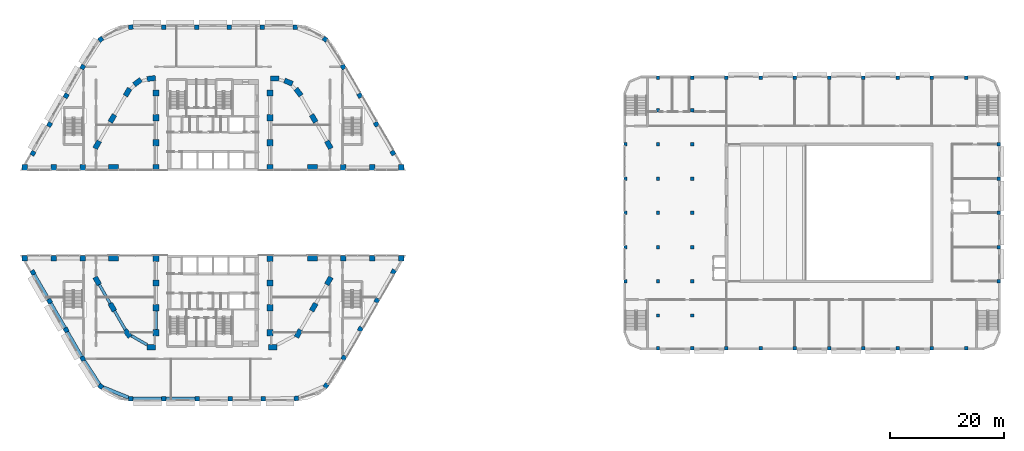
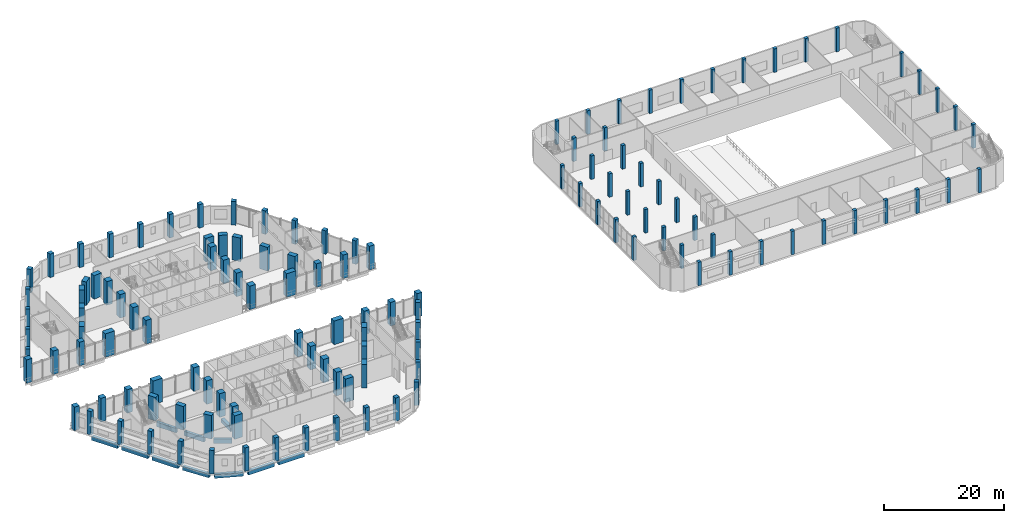
# One storey, part 1 of 45: 126 columns, 11 beams.
"""IFC4 building model written with IfcOpenShell, lengths in metres."""

from ifc_helpers import new_model, si_unit, direction, frame, origin, origin_2d, place, context, subcontext, project, spatial, rectangle, extrude, material, material_profile, profile_set, type_object, element, save


model = new_model("IFC4")

# Units and contexts
model_context = context("Model", 3, precision=1e-05, world=origin(), true_north=direction((0.0, 1.0)))
body_context = subcontext(model_context, "Body", "Model", "MODEL_VIEW")
ifc_project = project(units=[si_unit("LENGTHUNIT", "METRE"), si_unit("AREAUNIT", "SQUARE_METRE"), si_unit("VOLUMEUNIT", "CUBIC_METRE"), si_unit("PLANEANGLEUNIT", "RADIAN"), si_unit("MASSUNIT", "GRAM", prefix="KILO")], contexts=[model_context])

# Site, building, storey
site_placement = place(None, origin())
site = spatial("IfcSite", under=ifc_project, at=site_placement, CompositionType="ELEMENT")
building_placement = place(site_placement, origin())
building = spatial("IfcBuilding", under=site, at=building_placement, Name="Nakaniwa Court", CompositionType="ELEMENT")
storey_placement = place(building_placement, frame((0.0, 0.0, 6.60009765625)))
storey = spatial("IfcBuildingStorey", under=building, at=storey_placement, Name="L01", CompositionType="ELEMENT", Elevation=6.60009765625)

# Columns
ifc_material_1 = material(Name="Concrete C100/115", Category="concrete")
ifc_material_profile_1 = material_profile(ifc_material_1, rectangle(XDim=1.0, YDim=1.0, at=origin_2d()), Name="Concrete C100/115 RC 1000x1000 portal edge column")
ifc_profile_set_1 = profile_set([ifc_material_profile_1], Name="Concrete C100/115")
column_type_1 = type_object("IfcColumnType", Name="Concrete C100/115 RC 1000x1000 portal edge column", PredefinedType="COLUMN", material=ifc_profile_set_1)
for number, where, z_axis, x_axis, name in (
    (1, (102.822998046875, 87.949951171875, 0.0), (0.0, 0.0, 1.0), (1.0, 0.0, 0.0), "COLUMN CP-03"),
    (2, (102.822998046875, 72.050048828125, 0.0), (0.0, 0.0, 1.0), (1.0, 0.0, 0.0), "COLUMN CP-04"),
    (3, (107.908935546875, 87.949951171875, 0.0), (0.0, 0.0, 1.0), (1.0, 0.0, 0.0), "COLUMN CP-05"),
    (4, (107.908935546875, 72.050048828125, 0.0), (0.0, 0.0, 1.0), (1.0, 0.0, 0.0), "COLUMN CP-06"),
    (5, (112.99609375, 87.949951171875, 0.0), (0.0, 0.0, 1.0), (1.0, 0.0, 0.0), "COLUMN CP-07"),
    (6, (112.99609375, 72.050048828125, 0.0), (0.0, 0.0, 1.0), (1.0, 0.0, 0.0), "COLUMN CP-08"),
    (7, (57.177001953125, 87.949951171875, 0.0), (0.0, 0.0, 1.0), (1.0, 0.0, 0.0), "COLUMN CP-11"),
    (8, (57.177001953125, 72.050048828125, 0.0), (0.0, 0.0, 1.0), (1.0, 0.0, 0.0), "COLUMN CP-12"),
    (9, (52.091064453125, 87.949951171875, 0.0), (0.0, 0.0, 1.0), (1.0, 0.0, 0.0), "COLUMN CP-13"),
    (10, (52.091064453125, 72.050048828125, 0.0), (0.0, 0.0, 1.0), (1.0, 0.0, 0.0), "COLUMN CP-14"),
    (11, (47.00390625, 87.949951171875, 0.0), (0.0, 0.0, 1.0), (1.0, 0.0, 0.0), "COLUMN CP-15"),
    (12, (47.00390625, 72.050048828125, 0.0), (0.0, 0.0, 1.0), (1.0, 0.0, 0.0), "COLUMN CP-16"),
):
    element("IfcColumn", number, at=place(storey_placement, frame(where, z_axis=z_axis, x_axis=x_axis)), inside=storey, type_object=column_type_1, Name=name, PredefinedType="COLUMN", context=body_context, shape_type="SweptSolid", body=[
        extrude(rectangle(XDim=1.0, YDim=1.0, at=origin_2d()), origin(), (0.0, 0.0, 1.0), 4.7998046875),
    ])
ifc_material_profile_2 = material_profile(ifc_material_1, rectangle(XDim=1.10009765625, YDim=1.10009765625, at=origin_2d()), Name="Concrete C100/115 RC 1100x1100 spine column")
ifc_profile_set_2 = profile_set([ifc_material_profile_2], Name="Concrete C100/115")
column_type_2 = type_object("IfcColumnType", Name="Concrete C100/115 RC 1100x1100 spine column", PredefinedType="COLUMN", material=ifc_profile_set_2)
for number, where, z_axis, x_axis, name in (
    (13, (90.0, 59.0, 0.0), (0.0, 0.0, 1.0), (0.0, 1.0, 0.0), "COLUMN CS-01"),
    (14, (90.0, 63.35009765625, 0.0), (0.0, 0.0, 1.0), (0.0, 1.0, 0.0), "COLUMN CS-02"),
    (15, (90.0, 67.699951171875, 0.0), (0.0, 0.0, 1.0), (0.0, 1.0, 0.0), "COLUMN CS-03"),
    (16, (90.0, 72.050048828125, 0.0), (0.0, 0.0, 1.0), (0.0, 1.0, 0.0), "COLUMN CS-04"),
    (17, (90.0, 87.949951171875, 0.0), (0.0, 0.0, 1.0), (0.0, 1.0, 0.0), "COLUMN CS-07"),
    (18, (90.0, 92.300048828125, 0.0), (0.0, 0.0, 1.0), (0.0, 1.0, 0.0), "COLUMN CS-08"),
    (19, (90.0, 96.64990234375, 0.0), (0.0, 0.0, 1.0), (0.0, 1.0, 0.0), "COLUMN CS-09"),
    (20, (90.0, 101.0, 0.0), (0.0, 0.0, 1.0), (0.0, 1.0, 0.0), "COLUMN CS-10"),
    (21, (70.0, 101.0, 0.0), (0.0, 0.0, 1.0), (0.0, -1.0, 0.0), "COLUMN CS-11"),
    (22, (70.0, 96.64990234375, 0.0), (0.0, 0.0, 1.0), (0.0, -1.0, 0.0), "COLUMN CS-12"),
    (23, (70.0, 92.300048828125, 0.0), (0.0, 0.0, 1.0), (0.0, -1.0, 0.0), "COLUMN CS-13"),
    (24, (70.0, 87.949951171875, 0.0), (0.0, 0.0, 1.0), (0.0, -1.0, 0.0), "COLUMN CS-14"),
    (25, (70.0, 72.050048828125, 0.0), (0.0, 0.0, 1.0), (0.0, -1.0, 0.0), "COLUMN CS-17"),
    (26, (70.0, 67.699951171875, 0.0), (0.0, 0.0, 1.0), (0.0, -1.0, 0.0), "COLUMN CS-18"),
    (27, (70.0, 63.35009765625, 0.0), (0.0, 0.0, 1.0), (0.0, -1.0, 0.0), "COLUMN CS-19"),
    (28, (70.0, 59.0, 0.0), (0.0, 0.0, 1.0), (0.0, -1.0, 0.0), "COLUMN CS-20"),
):
    element("IfcColumn", number, at=place(storey_placement, frame(where, z_axis=z_axis, x_axis=x_axis)), inside=storey, type_object=column_type_2, Name=name, PredefinedType="COLUMN", context=body_context, shape_type="SweptSolid", body=[
        extrude(rectangle(XDim=1.10009765625, YDim=1.10009765625, at=origin_2d()), origin(), (0.0, 0.0, 1.0), 4.7998046875),
    ])
ifc_material_profile_3 = material_profile(ifc_material_1, rectangle(XDim=1.5, YDim=0.89990234375, at=origin_2d()), Name="Concrete C100/115 RC 1500x900 perimeter column")
ifc_profile_set_3 = profile_set([ifc_material_profile_3], Name="Concrete C100/115")
column_type_3 = type_object("IfcColumnType", Name="Concrete C100/115 RC 1500x900 perimeter column", PredefinedType="COLUMN", material=ifc_profile_set_3)
for number, where, z_axis, x_axis, name in (
    (29, (69.17529296875, 103.550048828125, 0.0), (0.0, 0.0, 1.0), (-0.991442583111, -0.130543496177, 0.0), "COLUMN CO-01"),
    (30, (66.772705078125, 102.91015625, 0.0), (0.0, 0.0, 1.0), (-0.793363965062, -0.608747582288, 0.0), "COLUMN CO-02"),
    (31, (65.017578125, 101.1494140625, 0.0), (0.0, 0.0, 1.0), (-0.5, -0.866025403784, 0.0), "COLUMN CO-03"),
    (32, (62.3544921875, 96.537109375, 0.0), (0.0, 0.0, 1.0), (-0.5, -0.866025403784, 0.0), "COLUMN CO-04"),
    (33, (59.691650390625, 91.9248046875, 0.0), (0.0, 0.0, 1.0), (-0.5, -0.866025403784, 0.0), "COLUMN CO-05"),
    (34, (59.691650390625, 68.0751953125, 0.0), (0.0, 0.0, 1.0), (0.5, -0.866025403784, 0.0), "COLUMN CO-14"),
    (35, (62.3544921875, 63.462890625, 0.0), (0.0, 0.0, 1.0), (0.5, -0.866025403784, 0.0), "COLUMN CO-15"),
    (36, (65.017578125, 58.8505859375, 0.0), (0.0, 0.0, 1.0), (0.608761429009, -0.793353340291, 0.0), "COLUMN CO-16"),
    (37, (69.17529296875, 56.449951171875, 0.0), (0.0, 0.0, 1.0), (1.0, 0.0, 0.0), "COLUMN CO-17"),
    (38, (90.507080078125, 56.449951171875, 0.0), (0.0, 0.0, 1.0), (1.0, 0.0, 0.0), "COLUMN CO-21"),
    (39, (94.982421875, 58.8505859375, 0.0), (0.0, 0.0, 1.0), (0.5, 0.866025403784, 0.0), "COLUMN CO-22"),
    (40, (97.6455078125, 63.462890625, 0.0), (0.0, 0.0, 1.0), (0.5, 0.866025403784, 0.0), "COLUMN CO-23"),
    (41, (100.308349609375, 68.0751953125, 0.0), (0.0, 0.0, 1.0), (0.5, 0.866025403784, 0.0), "COLUMN CO-24"),
    (42, (100.308349609375, 91.9248046875, 0.0), (0.0, 0.0, 1.0), (-0.5, 0.866025403784, 0.0), "COLUMN CO-33"),
    (43, (97.6455078125, 96.537109375, 0.0), (0.0, 0.0, 1.0), (-0.5, 0.866025403784, 0.0), "COLUMN CO-34"),
    (44, (94.982421875, 101.1494140625, 0.0), (0.0, 0.0, 1.0), (-0.608761429009, 0.793353340291, 0.0), "COLUMN CO-35"),
    (45, (93.227294921875, 102.91015625, 0.0), (0.0, 0.0, 1.0), (-0.923879532511, 0.382683432365, 0.0), "COLUMN CO-36"),
    (46, (90.82470703125, 103.550048828125, 0.0), (0.0, 0.0, 1.0), (-1.0, 0.0, 0.0), "COLUMN CO-37"),
):
    element("IfcColumn", number, at=place(storey_placement, frame(where, z_axis=z_axis, x_axis=x_axis)), inside=storey, type_object=column_type_3, Name=name, PredefinedType="COLUMN", context=body_context, shape_type="SweptSolid", body=[
        extrude(rectangle(XDim=1.5, YDim=0.89990234375, at=origin_2d()), origin(), (0.0, 0.0, 1.0), 4.7998046875),
    ])
ifc_material_profile_4 = material_profile(ifc_material_1, rectangle(XDim=1.800048828125, YDim=1.0, at=origin_2d()), Name="Concrete C100/115 RC 1800x1000 portal edge column")
ifc_profile_set_4 = profile_set([ifc_material_profile_4], Name="Concrete C100/115")
column_type_4 = type_object("IfcColumnType", Name="Concrete C100/115 RC 1800x1000 portal edge column", PredefinedType="COLUMN", material=ifc_profile_set_4)
for number, where, z_axis, x_axis, name in (
    (47, (97.4580078125, 87.949951171875, 0.0), (0.0, 0.0, 1.0), (1.0, 0.0, 0.0), "COLUMN CP-01"),
    (48, (97.4580078125, 72.050048828125, 0.0), (0.0, 0.0, 1.0), (1.0, 0.0, 0.0), "COLUMN CP-02"),
    (49, (62.5419921875, 87.949951171875, 0.0), (0.0, 0.0, 1.0), (1.0, 0.0, 0.0), "COLUMN CP-09"),
    (50, (62.5419921875, 72.050048828125, 0.0), (0.0, 0.0, 1.0), (1.0, 0.0, 0.0), "COLUMN CP-10"),
):
    element("IfcColumn", number, at=place(storey_placement, frame(where, z_axis=z_axis, x_axis=x_axis)), inside=storey, type_object=column_type_4, Name=name, PredefinedType="COLUMN", context=body_context, shape_type="SweptSolid", body=[
        extrude(rectangle(XDim=1.800048828125, YDim=1.0, at=origin_2d()), origin(), (0.0, 0.0, 1.0), 4.7998046875),
    ])
ifc_material_profile_5 = material_profile(ifc_material_1, rectangle(XDim=0.800048828125, YDim=0.800048828125, at=origin_2d()), Name="Concrete C100/115 RC 800x800 podium skirt column")
ifc_profile_set_5 = profile_set([ifc_material_profile_5], Name="Concrete C100/115")
column_type_5 = type_object("IfcColumnType", Name="Concrete C100/115 RC 800x800 podium skirt column", PredefinedType="COLUMN", material=ifc_profile_set_5)
for number, where, z_axis, x_axis, name in (
    (51, (65.595703125, 112.550048828125, 0.0), (0.0, 0.0, 1.0), (-0.991444861374, -0.13052619222, 0.0), "COLUMN CK-01"),
    (52, (60.32763671875, 110.41064453125, 0.0), (0.0, 0.0, 1.0), (-0.793353340291, -0.608761429009, 0.0), "COLUMN CK-02"),
    (53, (57.165771484375, 105.550048828125, 0.0), (0.0, 0.0, 1.0), (-0.5, -0.866025403784, 0.0), "COLUMN CK-03"),
    (54, (54.25732421875, 100.5126953125, 0.0), (0.0, 0.0, 1.0), (-0.5, -0.866025403784, 0.0), "COLUMN CK-04"),
    (55, (51.34912109375, 95.47509765625, 0.0), (0.0, 0.0, 1.0), (-0.5, -0.866025403784, 0.0), "COLUMN CK-05"),
    (56, (48.440673828125, 90.437744140625, 0.0), (0.0, 0.0, 1.0), (-0.5, -0.866025403784, 0.0), "COLUMN CK-06"),
    (57, (48.440673828125, 69.562255859375, 0.0), (0.0, 0.0, 1.0), (0.5, -0.866025403784, 0.0), "COLUMN CK-10"),
    (58, (51.34912109375, 64.52490234375, 0.0), (0.0, 0.0, 1.0), (0.5, -0.866025403784, 0.0), "COLUMN CK-11"),
    (59, (54.25732421875, 59.4873046875, 0.0), (0.0, 0.0, 1.0), (0.5, -0.866025403784, 0.0), "COLUMN CK-12"),
    (60, (57.165771484375, 54.449951171875, 0.0), (0.0, 0.0, 1.0), (0.5, -0.866025403784, 0.0), "COLUMN CK-13"),
    (61, (60.32763671875, 49.58935546875, 0.0), (0.0, 0.0, 1.0), (0.793353340291, -0.608761429009, 0.0), "COLUMN CK-14"),
    (62, (65.595703125, 47.449951171875, 0.0), (0.0, 0.0, 1.0), (1.0, 0.0, 0.0), "COLUMN CK-15"),
    (63, (71.39794921875, 47.449951171875, 0.0), (0.0, 0.0, 1.0), (1.0, 0.0, 0.0), "COLUMN CK-16"),
    (64, (77.2001953125, 47.449951171875, 0.0), (0.0, 0.0, 1.0), (1.0, 0.0, 0.0), "COLUMN CK-17"),
    (65, (83.00244140625, 47.449951171875, 0.0), (0.0, 0.0, 1.0), (1.0, 0.0, 0.0), "COLUMN CK-18"),
    (66, (88.8046875, 47.449951171875, 0.0), (0.0, 0.0, 1.0), (1.0, 0.0, 0.0), "COLUMN CK-19"),
    (67, (94.605224609375, 47.4765625, 0.0), (0.0, 0.0, 1.0), (0.991444861374, 0.13052619222, 0.0), "COLUMN CK-20"),
    (68, (99.8095703125, 49.716064453125, 0.0), (0.0, 0.0, 1.0), (0.608761429009, 0.793353340291, 0.0), "COLUMN CK-21"),
    (69, (102.921142578125, 54.600341796875, 0.0), (0.0, 0.0, 1.0), (0.5, 0.866025403784, 0.0), "COLUMN CK-22"),
    (70, (105.822265625, 59.62548828125, 0.0), (0.0, 0.0, 1.0), (0.5, 0.866025403784, 0.0), "COLUMN CK-23"),
    (71, (108.723388671875, 64.650390625, 0.0), (0.0, 0.0, 1.0), (0.5, 0.866025403784, 0.0), "COLUMN CK-24"),
    (72, (111.62451171875, 69.67529296875, 0.0), (0.0, 0.0, 1.0), (0.5, 0.866025403784, 0.0), "COLUMN CK-25"),
    (73, (111.523193359375, 90.50048828125, 0.0), (0.0, 0.0, 1.0), (-0.5, 0.866025403784, 0.0), "COLUMN CK-29"),
    (74, (108.6220703125, 95.525390625, 0.0), (0.0, 0.0, 1.0), (-0.5, 0.866025403784, 0.0), "COLUMN CK-30"),
    (75, (105.720703125, 100.55029296875, 0.0), (0.0, 0.0, 1.0), (-0.5, 0.866025403784, 0.0), "COLUMN CK-31"),
    (76, (102.819580078125, 105.5751953125, 0.0), (0.0, 0.0, 1.0), (-0.5, 0.866025403784, 0.0), "COLUMN CK-32"),
    (77, (99.660888671875, 110.41943359375, 0.0), (0.0, 0.0, 1.0), (-0.793353340291, 0.608761429009, 0.0), "COLUMN CK-33"),
    (78, (94.404296875, 112.550048828125, 0.0), (0.0, 0.0, 1.0), (-1.0, 0.0, 0.0), "COLUMN CK-34"),
    (79, (88.642578125, 112.550048828125, 0.0), (0.0, 0.0, 1.0), (-1.0, 0.0, 0.0), "COLUMN CK-35"),
    (80, (82.880859375, 112.550048828125, 0.0), (0.0, 0.0, 1.0), (-1.0, 0.0, 0.0), "COLUMN CK-36"),
    (81, (77.119140625, 112.550048828125, 0.0), (0.0, 0.0, 1.0), (-1.0, 0.0, 0.0), "COLUMN CK-37"),
    (82, (71.357421875, 112.550048828125, 0.0), (0.0, 0.0, 1.0), (-1.0, 0.0, 0.0), "COLUMN CK-38"),
):
    element("IfcColumn", number, at=place(storey_placement, frame(where, z_axis=z_axis, x_axis=x_axis)), inside=storey, type_object=column_type_5, Name=name, PredefinedType="COLUMN", context=body_context, shape_type="SweptSolid", body=[
        extrude(rectangle(XDim=0.800048828125, YDim=0.800048828125, at=origin_2d()), origin(), (0.0, 0.0, 1.0), 4.7998046875),
    ])
ifc_material_2 = material(Name="Concrete C50/60", Category="concrete")
ifc_material_profile_6 = material_profile(ifc_material_2, rectangle(XDim=0.60009765625, YDim=0.60009765625, at=origin_2d()), Name="RC 600x600")
ifc_profile_set_6 = profile_set([ifc_material_profile_6], Name="Concrete C50/60")
column_type_6 = type_object("IfcColumnType", Name="Hall column RC 600x600 C50/60", PredefinedType="COLUMN", material=ifc_profile_set_6)
for number, where, z_axis, x_axis, name in (
    (83, (158.0, 56.300048828125, 0.0), (0.0, 0.0, 1.0), (1.0, 0.0, 0.0), "Hall column S1 L01"),
    (84, (158.0, 103.699951171875, 0.0), (0.0, 0.0, 1.0), (1.0, 0.0, 0.0), "Hall column N1 L01"),
    (85, (164.0, 56.300048828125, 0.0), (0.0, 0.0, 1.0), (1.0, 0.0, 0.0), "Hall column S2 L01"),
    (86, (164.0, 103.699951171875, 0.0), (0.0, 0.0, 1.0), (1.0, 0.0, 0.0), "Hall column N2 L01"),
    (87, (170.0, 56.300048828125, 0.0), (0.0, 0.0, 1.0), (1.0, 0.0, 0.0), "Hall column S3 L01"),
    (88, (170.0, 103.699951171875, 0.0), (0.0, 0.0, 1.0), (1.0, 0.0, 0.0), "Hall column N3 L01"),
    (89, (176.0, 56.300048828125, 0.0), (0.0, 0.0, 1.0), (1.0, 0.0, 0.0), "Hall column S4 L01"),
    (90, (176.0, 103.699951171875, 0.0), (0.0, 0.0, 1.0), (1.0, 0.0, 0.0), "Hall column N4 L01"),
    (91, (182.0, 56.300048828125, 0.0), (0.0, 0.0, 1.0), (1.0, 0.0, 0.0), "Hall column S5 L01"),
    (92, (182.0, 103.699951171875, 0.0), (0.0, 0.0, 1.0), (1.0, 0.0, 0.0), "Hall column N5 L01"),
    (93, (188.0, 56.300048828125, 0.0), (0.0, 0.0, 1.0), (1.0, 0.0, 0.0), "Hall column S6 L01"),
    (94, (188.0, 103.699951171875, 0.0), (0.0, 0.0, 1.0), (1.0, 0.0, 0.0), "Hall column N6 L01"),
    (95, (194.0, 56.300048828125, 0.0), (0.0, 0.0, 1.0), (1.0, 0.0, 0.0), "Hall column S7 L01"),
    (96, (194.0, 103.699951171875, 0.0), (0.0, 0.0, 1.0), (1.0, 0.0, 0.0), "Hall column N7 L01"),
    (97, (200.0, 56.300048828125, 0.0), (0.0, 0.0, 1.0), (1.0, 0.0, 0.0), "Hall column S8 L01"),
    (98, (200.0, 103.699951171875, 0.0), (0.0, 0.0, 1.0), (1.0, 0.0, 0.0), "Hall column N8 L01"),
    (99, (206.0, 56.300048828125, 0.0), (0.0, 0.0, 1.0), (1.0, 0.0, 0.0), "Hall column S9 L01"),
    (100, (206.0, 103.699951171875, 0.0), (0.0, 0.0, 1.0), (1.0, 0.0, 0.0), "Hall column N9 L01"),
    (101, (212.0, 56.300048828125, 0.0), (0.0, 0.0, 1.0), (1.0, 0.0, 0.0), "Hall column S10 L01"),
    (102, (212.0, 103.699951171875, 0.0), (0.0, 0.0, 1.0), (1.0, 0.0, 0.0), "Hall column N10 L01"),
    (103, (152.300048828125, 68.0, 0.0), (0.0, 0.0, 1.0), (1.0, 0.0, 0.0), "Hall column W2 L01"),
    (104, (217.699951171875, 68.0, 0.0), (0.0, 0.0, 1.0), (1.0, 0.0, 0.0), "Hall column E2 L01"),
    (105, (152.300048828125, 74.0, 0.0), (0.0, 0.0, 1.0), (1.0, 0.0, 0.0), "Hall column W3 L01"),
    (106, (217.699951171875, 74.0, 0.0), (0.0, 0.0, 1.0), (1.0, 0.0, 0.0), "Hall column E3 L01"),
    (107, (152.300048828125, 80.0, 0.0), (0.0, 0.0, 1.0), (1.0, 0.0, 0.0), "Hall column W4 L01"),
    (108, (217.699951171875, 80.0, 0.0), (0.0, 0.0, 1.0), (1.0, 0.0, 0.0), "Hall column E4 L01"),
    (109, (152.300048828125, 86.0, 0.0), (0.0, 0.0, 1.0), (1.0, 0.0, 0.0), "Hall column W5 L01"),
    (110, (217.699951171875, 86.0, 0.0), (0.0, 0.0, 1.0), (1.0, 0.0, 0.0), "Hall column E5 L01"),
    (111, (152.300048828125, 92.0, 0.0), (0.0, 0.0, 1.0), (1.0, 0.0, 0.0), "Hall column W6 L01"),
    (112, (217.699951171875, 92.0, 0.0), (0.0, 0.0, 1.0), (1.0, 0.0, 0.0), "Hall column E6 L01"),
    (113, (158.0, 62.0, 0.0), (0.0, 0.0, 1.0), (1.0, 0.0, 0.0), "Hall column F1-1 L01"),
    (114, (158.0, 68.0, 0.0), (0.0, 0.0, 1.0), (1.0, 0.0, 0.0), "Hall column F1-2 L01"),
    (115, (158.0, 74.0, 0.0), (0.0, 0.0, 1.0), (1.0, 0.0, 0.0), "Hall column F1-3 L01"),
    (116, (158.0, 80.0, 0.0), (0.0, 0.0, 1.0), (1.0, 0.0, 0.0), "Hall column F1-4 L01"),
    (117, (158.0, 86.0, 0.0), (0.0, 0.0, 1.0), (1.0, 0.0, 0.0), "Hall column F1-5 L01"),
    (118, (158.0, 92.0, 0.0), (0.0, 0.0, 1.0), (1.0, 0.0, 0.0), "Hall column F1-6 L01"),
    (119, (158.0, 98.0, 0.0), (0.0, 0.0, 1.0), (1.0, 0.0, 0.0), "Hall column F1-7 L01"),
    (120, (164.0, 62.0, 0.0), (0.0, 0.0, 1.0), (1.0, 0.0, 0.0), "Hall column F2-1 L01"),
    (121, (164.0, 68.0, 0.0), (0.0, 0.0, 1.0), (1.0, 0.0, 0.0), "Hall column F2-2 L01"),
    (122, (164.0, 74.0, 0.0), (0.0, 0.0, 1.0), (1.0, 0.0, 0.0), "Hall column F2-3 L01"),
    (123, (164.0, 80.0, 0.0), (0.0, 0.0, 1.0), (1.0, 0.0, 0.0), "Hall column F2-4 L01"),
    (124, (164.0, 86.0, 0.0), (0.0, 0.0, 1.0), (1.0, 0.0, 0.0), "Hall column F2-5 L01"),
    (125, (164.0, 92.0, 0.0), (0.0, 0.0, 1.0), (1.0, 0.0, 0.0), "Hall column F2-6 L01"),
    (126, (164.0, 98.0, 0.0), (0.0, 0.0, 1.0), (1.0, 0.0, 0.0), "Hall column F2-7 L01"),
):
    element("IfcColumn", number, at=place(storey_placement, frame(where, z_axis=z_axis, x_axis=x_axis)), inside=storey, type_object=column_type_6, Name=name, PredefinedType="COLUMN", context=body_context, shape_type="SweptSolid", body=[
        extrude(rectangle(XDim=0.60009765625, YDim=0.60009765625, at=origin_2d()), origin(), (0.0, 0.0, 1.0), 4.7998046875),
    ])

# Beams
ifc_material_profile_7 = material_profile(ifc_material_1, rectangle(XDim=0.5, YDim=0.89990234375, at=origin_2d()), Name="Concrete C100/115 RC 500x900 spandrel beam")
ifc_profile_set_7 = profile_set([ifc_material_profile_7], Name="Concrete C100/115")
beam_type_1 = type_object("IfcBeamType", Name="Concrete C100/115 RC 500x900 spandrel beam", PredefinedType="BEAM", material=ifc_profile_set_7)
beam_1_placement = place(storey_placement, frame((60.066650390625, 67.42578125, -0.75), z_axis=(0.499961815444, -0.866047448526, 0.0), x_axis=(0.866047448526, 0.499961815444, 0.0)))
element("IfcBeam", 127, at=beam_1_placement, inside=storey, type_object=beam_type_1, Name="SPANDREL BEAM", PredefinedType="BEAM", context=body_context, shape_type="SweptSolid", body=[
    extrude(rectangle(XDim=0.5, YDim=0.89990234375, at=origin_2d()), origin(), (0.0, 0.0, 1.0), 3.825927734375),
])
beam_2_placement = place(storey_placement, frame((62.7294921875, 62.8134765625, -0.75), z_axis=(0.500023067617, -0.86601208528, 0.0), x_axis=(0.86601208528, 0.500023067617, 0.0)))
element("IfcBeam", 128, at=beam_2_placement, inside=storey, type_object=beam_type_1, Name="SPANDREL BEAM", PredefinedType="BEAM", context=body_context, shape_type="SweptSolid", body=[
    extrude(rectangle(XDim=0.5, YDim=0.89990234375, at=origin_2d()), origin(), (0.0, 0.0, 1.0), 3.819580078125),
])
beam_3_placement = place(storey_placement, frame((65.720458984375, 58.444580078125, -0.75), z_axis=(0.866041096587, -0.499972818284, 0.0), x_axis=(0.499972818284, 0.866041096587, 0.0)))
element("IfcBeam", 129, at=beam_3_placement, inside=storey, type_object=beam_type_1, Name="SPANDREL BEAM", PredefinedType="BEAM", context=body_context, shape_type="SweptSolid", body=[
    extrude(rectangle(XDim=0.5, YDim=0.89990234375, at=origin_2d()), origin(), (0.0, 0.0, 1.0), 3.123291015625),
])
ifc_material_profile_8 = material_profile(ifc_material_1, rectangle(XDim=0.60009765625, YDim=0.75, at=origin_2d()), Name="Concrete C100/115 RC 600x750 ring beam")
ifc_profile_set_8 = profile_set([ifc_material_profile_8], Name="Concrete C100/115")
beam_type_2 = type_object("IfcBeamType", Name="Concrete C100/115 RC 600x750 ring beam", PredefinedType="BEAM", material=ifc_profile_set_8)
beam_4_placement = place(storey_placement, frame((70.0, 62.800048828125, -0.675048828125), z_axis=(0.0, -1.0, 0.0), x_axis=(1.0, 0.0, 0.0)))
element("IfcBeam", 130, at=beam_4_placement, inside=storey, type_object=beam_type_2, Name="RING BEAM", PredefinedType="BEAM", context=body_context, shape_type="SweptSolid", body=[
    extrude(rectangle(XDim=0.60009765625, YDim=0.75, at=origin_2d()), origin(), (0.0, 0.0, 1.0), 3.25),
])
for number, where, z_axis, x_axis, name in (
    (131, (48.640625, 69.2158203125, -0.675048828125), (0.500017322015, -0.866015402684, 0.0), (0.866015402684, 0.500017322015, 0.0), "RING BEAM"),
    (132, (51.549072265625, 64.178466796875, -0.675048828125), (0.499980823911, -0.866036474822, 0.0), (0.866036474822, 0.499980823911, 0.0), "RING BEAM"),
    (133, (54.45751953125, 59.14111328125, -0.675048828125), (0.499980823911, -0.866036474822, 0.0), (0.866036474822, 0.499980823911, 0.0), "RING BEAM"),
):
    element("IfcBeam", number, at=place(storey_placement, frame(where, z_axis=z_axis, x_axis=x_axis)), inside=storey, type_object=beam_type_2, Name=name, PredefinedType="BEAM", context=body_context, shape_type="SweptSolid", body=[
        extrude(rectangle(XDim=0.60009765625, YDim=0.75, at=origin_2d()), origin(), (0.0, 0.0, 1.0), 5.016845703125),
    ])
beam_5_placement = place(storey_placement, frame((57.38427734375, 54.114013671875, -0.675048828125), z_axis=(0.545297150408, -0.838242815512, 0.0), x_axis=(0.838242815512, 0.545297150408, 0.0)))
element("IfcBeam", 134, at=beam_5_placement, inside=storey, type_object=beam_type_2, Name="RING BEAM", PredefinedType="BEAM", context=body_context, shape_type="SweptSolid", body=[
    extrude(rectangle(XDim=0.60009765625, YDim=0.75, at=origin_2d()), origin(), (0.0, 0.0, 1.0), 4.9736328125),
])
beam_6_placement = place(storey_placement, frame((60.712158203125, 49.43310546875, -0.675048828125), z_axis=(0.926515496979, -0.376256606397, 0.0), x_axis=(0.376256606397, 0.926515496979, 0.0)))
element("IfcBeam", 135, at=beam_6_placement, inside=storey, type_object=beam_type_2, Name="RING BEAM", PredefinedType="BEAM", context=body_context, shape_type="SweptSolid", body=[
    extrude(rectangle(XDim=0.60009765625, YDim=0.75, at=origin_2d()), origin(), (0.0, 0.0, 1.0), 4.83935546875),
])
beam_7_placement = place(storey_placement, frame((65.99560546875, 47.449951171875, -0.675048828125), z_axis=(1.0, 0.0, 0.0), x_axis=(0.0, 1.0, 0.0)))
element("IfcBeam", 136, at=beam_7_placement, inside=storey, type_object=beam_type_2, Name="RING BEAM", PredefinedType="BEAM", context=body_context, shape_type="SweptSolid", body=[
    extrude(rectangle(XDim=0.60009765625, YDim=0.75, at=origin_2d()), origin(), (0.0, 0.0, 1.0), 5.00244140625),
])
beam_8_placement = place(storey_placement, frame((71.798095703125, 47.449951171875, -0.675048828125), z_axis=(1.0, 0.0, 0.0), x_axis=(0.0, 1.0, 0.0)))
element("IfcBeam", 137, at=beam_8_placement, inside=storey, type_object=beam_type_2, Name="RING BEAM", PredefinedType="BEAM", context=body_context, shape_type="SweptSolid", body=[
    extrude(rectangle(XDim=0.60009765625, YDim=0.75, at=origin_2d()), origin(), (0.0, 0.0, 1.0), 5.002197265625),
])

save(model, "model.ifc")
